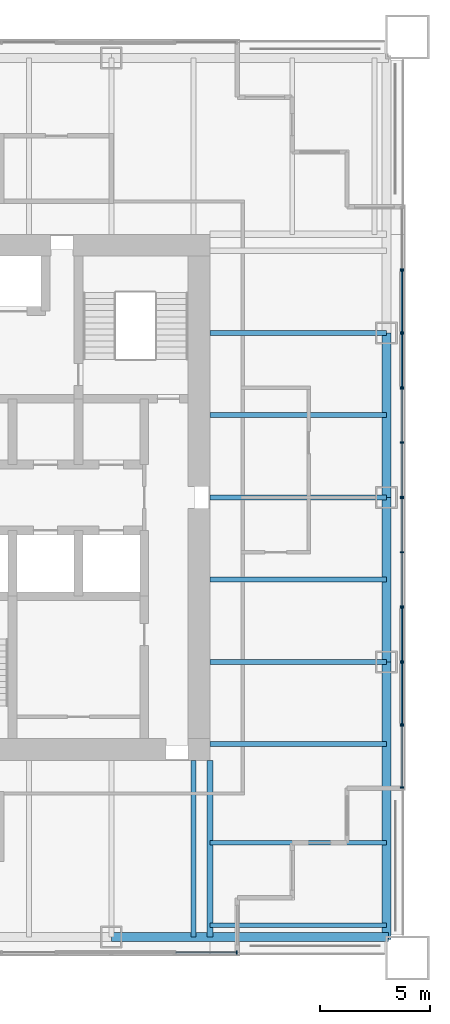
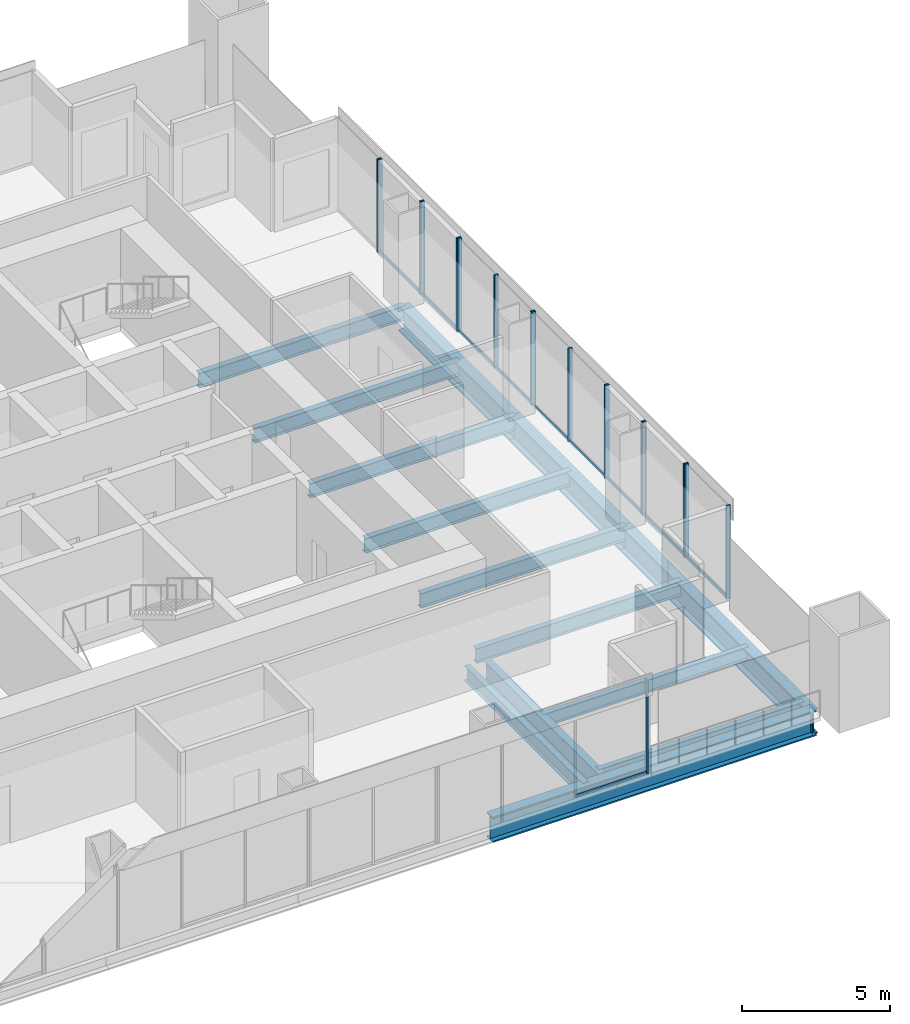
# One storey, part 5 of 14: 28 members, 14 beams, 9 elements without a shape of their own.
"""IFC4 building model written with IfcOpenShell, lengths in metres."""

from ifc_helpers import new_model, si_unit, direction, frame, origin, origin_2d, place, context, subcontext, project, spatial, rectangle, i_section, extrude, material, material_profile, profile_set, type_object, element, aggregate, save


model = new_model("IFC4")

# Units and contexts
model_context = context("Model", 3, precision=1e-05, world=origin(), true_north=direction((0.0, 1.0)))
body_context = subcontext(model_context, "Body", "Model", "MODEL_VIEW")
ifc_project = project(units=[si_unit("LENGTHUNIT", "METRE"), si_unit("AREAUNIT", "SQUARE_METRE"), si_unit("VOLUMEUNIT", "CUBIC_METRE"), si_unit("PLANEANGLEUNIT", "RADIAN"), si_unit("MASSUNIT", "GRAM", prefix="KILO")], contexts=[model_context])

# Site, building, storey
site_placement = place(None, origin())
site = spatial("IfcSite", under=ifc_project, at=site_placement, CompositionType="ELEMENT")
building_placement = place(site_placement, origin())
building = spatial("IfcBuilding", under=site, at=building_placement, Name="Tarangal Relay Tower", CompositionType="ELEMENT")
storey_placement = place(building_placement, frame((0.0, 0.0, 283.89990234375)))
storey = spatial("IfcBuildingStorey", under=building, at=storey_placement, Name="L62", CompositionType="ELEMENT", Elevation=283.89990234375)

# Beams
ifc_material_1 = material(Name="Steel ASTM A992", Category="steel")
ifc_material_profile_1 = material_profile(ifc_material_1, i_section(OverallWidth=0.209228515625, OverallDepth=0.533447265625, WebThickness=0.01025390625, FlangeThickness=0.015625, at=origin_2d()), Name="W21X62")
ifc_profile_set_1 = profile_set([ifc_material_profile_1], Name="Steel ASTM A992")
beam_type_1 = type_object("IfcBeamType", Name="Corner beam W21X62", PredefinedType="JOIST", material=ifc_profile_set_1)
for number, where, z_axis, x_axis, name in (
    (1, (12.0, -15.75, -0.41650390625), (1.0, 0.0, 0.0), (0.0, 1.0, 0.0), "Corner beam CB12 E L62"),
    (2, (12.0, -19.5, -0.41650390625), (1.0, 0.0, 0.0), (0.0, 1.0, 0.0), "Corner beam CB12 E L62"),
):
    element("IfcBeam", number, at=place(storey_placement, frame(where, z_axis=z_axis, x_axis=x_axis)), inside=storey, type_object=beam_type_1, Name=name, PredefinedType="JOIST", context=body_context, shape_type="SweptSolid", body=[
        extrude(i_section(OverallWidth=0.209228515625, OverallDepth=0.533447265625, WebThickness=0.01025390625, FlangeThickness=0.015625, at=origin_2d()), origin(), (0.0, 0.0, 1.0), 8.0400390625),
    ])
ifc_material_profile_2 = material_profile(ifc_material_1, i_section(OverallWidth=0.2919921875, OverallDepth=0.8408203125, WebThickness=0.0146484375, FlangeThickness=0.021728515625, at=origin_2d()), Name="W33X130")
ifc_profile_set_2 = profile_set([ifc_material_profile_2], Name="Steel ASTM A992")
beam_type_2 = type_object("IfcBeamType", Name="Corner girder W33X130", PredefinedType="BEAM", material=ifc_profile_set_2)
beam_placement = place(storey_placement, frame((12.0, -12.0, -0.5703125), z_axis=(0.0, -1.0, 0.0), x_axis=(1.0, 0.0, 0.0)))
element("IfcBeam", 3, at=beam_placement, inside=storey, type_object=beam_type_2, Name="Corner girder CG5 E L62", PredefinedType="BEAM", context=body_context, shape_type="SweptSolid", body=[
    extrude(i_section(OverallWidth=0.2919921875, OverallDepth=0.8408203125, WebThickness=0.0146484375, FlangeThickness=0.021728515625, at=origin_2d()), origin(), (0.0, 0.0, 1.0), 8.0400390625),
])
ifc_material_profile_3 = material_profile(ifc_material_1, i_section(OverallWidth=0.41162109375, OverallDepth=1.049072265625, WebThickness=0.033935546875, FlangeThickness=0.059814453125, at=origin_2d()), Name="W40X431")
ifc_profile_set_3 = profile_set([ifc_material_profile_3], Name="Steel ASTM A992")
beam_type_3 = type_object("IfcBeamType", Name="Edge girder W40X431", PredefinedType="SPANDREL", material=ifc_profile_set_3)
for number, where, z_axis, x_axis, name in (
    (4, (20.0400390625, 7.5, -0.67431640625), (0.0, -1.0, 0.0), (1.0, 0.0, 0.0), "Edge girder EG1 E L62"),
    (5, (20.0400390625, 0.0, -0.67431640625), (0.0, -1.0, 0.0), (1.0, 0.0, 0.0), "Edge girder EG1 E L62"),
):
    element("IfcBeam", number, at=place(storey_placement, frame(where, z_axis=z_axis, x_axis=x_axis)), inside=storey, type_object=beam_type_3, Name=name, PredefinedType="SPANDREL", context=body_context, shape_type="SweptSolid", body=[
        extrude(i_section(OverallWidth=0.41162109375, OverallDepth=1.049072265625, WebThickness=0.033935546875, FlangeThickness=0.059814453125, at=origin_2d()), origin(), (0.0, 0.0, 1.0), 7.5),
    ])
for number, where, z_axis, x_axis, name in (
    (6, (20.0400390625, -7.5, -0.67431640625), (0.0, -1.0, 0.0), (1.0, 0.0, 0.0), "Edge girder EG1 E L62"),
    (7, (20.14990234375, -20.0400390625, -0.67431640625), (-1.0, 0.0, 0.0), (0.0, -1.0, 0.0), "Edge girder EG1 S L62"),
):
    element("IfcBeam", number, at=place(storey_placement, frame(where, z_axis=z_axis, x_axis=x_axis)), inside=storey, type_object=beam_type_3, Name=name, PredefinedType="SPANDREL", context=body_context, shape_type="SweptSolid", body=[
        extrude(i_section(OverallWidth=0.41162109375, OverallDepth=1.049072265625, WebThickness=0.033935546875, FlangeThickness=0.059814453125, at=origin_2d()), origin(), (0.0, 0.0, 1.0), 12.64990234375),
    ])
ifc_material_profile_4 = material_profile(ifc_material_1, i_section(OverallWidth=0.228271484375, OverallDepth=0.607177734375, WebThickness=0.01123046875, FlangeThickness=0.017333984375, at=origin_2d()), Name="W24X76")
ifc_profile_set_4 = profile_set([ifc_material_profile_4], Name="Steel ASTM A992")
beam_type_4 = type_object("IfcBeamType", Name="Floor beam W24X76", PredefinedType="BEAM", material=ifc_profile_set_4)
for number, where, z_axis, x_axis, name in (
    (8, (12.0, 7.5, -0.453369140625), (1.0, 0.0, 0.0), (0.0, 1.0, 0.0), "Floor beam RB5 E L62"),
    (9, (12.0, 3.75, -0.453369140625), (1.0, 0.0, 0.0), (0.0, 1.0, 0.0), "Floor beam RB5 E L62"),
    (10, (12.0, 0.0, -0.453369140625), (1.0, 0.0, 0.0), (0.0, 1.0, 0.0), "Floor beam RB5 E L62"),
    (11, (12.0, -3.75, -0.453369140625), (1.0, 0.0, 0.0), (0.0, 1.0, 0.0), "Floor beam RB5 E L62"),
    (12, (12.0, -7.5, -0.453369140625), (1.0, 0.0, 0.0), (0.0, 1.0, 0.0), "Floor beam RB5 E L62"),
    (13, (12.0, -11.25, -0.453369140625), (1.0, 0.0, 0.0), (0.0, 1.0, 0.0), "Floor beam RB5 E L62"),
    (14, (11.25, -12.0, -0.453369140625), (0.0, -1.0, 0.0), (1.0, 0.0, 0.0), "Floor beam RB5 S L62"),
):
    element("IfcBeam", number, at=place(storey_placement, frame(where, z_axis=z_axis, x_axis=x_axis)), inside=storey, type_object=beam_type_4, Name=name, PredefinedType="BEAM", context=body_context, shape_type="SweptSolid", body=[
        extrude(i_section(OverallWidth=0.228271484375, OverallDepth=0.607177734375, WebThickness=0.01123046875, FlangeThickness=0.017333984375, at=origin_2d()), origin(), (0.0, 0.0, 1.0), 8.0400390625),
    ])

# Curtain wall, member
ifc_material_2 = material(Name="Unitised curtain wall, dark glass and black aluminium", Category="aluminium")
curtain_wall_type_1 = type_object("IfcCurtainWallType", Name="Curtain wall CW-B", PredefinedType="USERDEFINED", material=ifc_material_2)
curtain_wall_1_placement = place(storey_placement, origin())
curtain_wall_1 = element("IfcCurtainWall", 15, at=curtain_wall_1_placement, inside=storey, type_object=curtain_wall_type_1, Name="Curtain wall CW-B E facade L62", ObjectType="UNITISED CURTAIN WALL", PredefinedType="USERDEFINED")
ifc_material_3 = material(Name="Black anodised aluminium mullion", Category="aluminium")
ifc_material_profile_5 = material_profile(ifc_material_3, rectangle(XDim=0.159912109375, YDim=0.06005859375, at=origin_2d()), Name="CW-BM 60X160")
ifc_profile_set_5 = profile_set([ifc_material_profile_5], Name="Black anodised aluminium mullion")
member_type_1 = type_object("IfcMemberType", Name="Mullion CW-B 60 x 160", PredefinedType="MULLION", material=ifc_profile_set_5)
member_1_placement = place(storey_placement, frame((20.75, 10.405029296875, 0.0), z_axis=(0.0, 0.0, 1.0), x_axis=(1.0, 0.0, 0.0)))
member_1 = element("IfcMember", 16, at=member_1_placement, type_object=member_type_1, Name="CW-B mullion 2", PredefinedType="MULLION", context=body_context, shape_type="SweptSolid", body=[
    extrude(rectangle(XDim=0.159912109375, YDim=0.06005859375, at=origin_2d()), origin(), (0.0, 0.0, 1.0), 3.85009765625),
])
aggregate(curtain_wall_1, [member_1])

# Curtain wall, members
curtain_wall_2_placement = place(storey_placement, origin())
curtain_wall_2 = element("IfcCurtainWall", 17, at=curtain_wall_2_placement, inside=storey, type_object=curtain_wall_type_1, Name="Curtain wall CW-B E facade L62", ObjectType="UNITISED CURTAIN WALL", PredefinedType="USERDEFINED")
member_2_placement = place(storey_placement, frame((20.75, 4.969970703125, 0.0), z_axis=(0.0, 0.0, 1.0), x_axis=(1.0, 0.0, 0.0)))
member_2 = element("IfcMember", 18, at=member_2_placement, type_object=member_type_1, Name="CW-B mullion 1", PredefinedType="MULLION", context=body_context, shape_type="SweptSolid", body=[
    extrude(rectangle(XDim=0.159912109375, YDim=0.06005859375, at=origin_2d()), origin(), (0.0, 0.0, 1.0), 3.85009765625),
])
member_3_placement = place(storey_placement, frame((20.75, 2.5, 0.0), z_axis=(0.0, 0.0, 1.0), x_axis=(1.0, 0.0, 0.0)))
member_3 = element("IfcMember", 19, at=member_3_placement, type_object=member_type_1, Name="CW-B mullion 2", PredefinedType="MULLION", context=body_context, shape_type="SweptSolid", body=[
    extrude(rectangle(XDim=0.159912109375, YDim=0.06005859375, at=origin_2d()), origin(), (0.0, 0.0, 1.0), 3.85009765625),
])
member_4_placement = place(storey_placement, frame((20.75, 0.030029296875, 0.0), z_axis=(0.0, 0.0, 1.0), x_axis=(1.0, 0.0, 0.0)))
member_4 = element("IfcMember", 20, at=member_4_placement, type_object=member_type_1, Name="CW-B mullion 3", PredefinedType="MULLION", context=body_context, shape_type="SweptSolid", body=[
    extrude(rectangle(XDim=0.159912109375, YDim=0.06005859375, at=origin_2d()), origin(), (0.0, 0.0, 1.0), 3.85009765625),
])

curtain_wall_3_placement = place(storey_placement, origin())
curtain_wall_3 = element("IfcCurtainWall", 21, at=curtain_wall_3_placement, inside=storey, type_object=curtain_wall_type_1, Name="Curtain wall CW-B E facade L62", ObjectType="UNITISED CURTAIN WALL", PredefinedType="USERDEFINED")
member_5_placement = place(storey_placement, frame((20.75, -0.030029296875, 0.0), z_axis=(0.0, 0.0, 1.0), x_axis=(1.0, 0.0, 0.0)))
member_5 = element("IfcMember", 22, at=member_5_placement, type_object=member_type_1, Name="CW-B mullion 1", PredefinedType="MULLION", context=body_context, shape_type="SweptSolid", body=[
    extrude(rectangle(XDim=0.159912109375, YDim=0.06005859375, at=origin_2d()), origin(), (0.0, 0.0, 1.0), 3.85009765625),
])
member_6_placement = place(storey_placement, frame((20.75, -2.5, 0.0), z_axis=(0.0, 0.0, 1.0), x_axis=(1.0, 0.0, 0.0)))
member_6 = element("IfcMember", 23, at=member_6_placement, type_object=member_type_1, Name="CW-B mullion 2", PredefinedType="MULLION", context=body_context, shape_type="SweptSolid", body=[
    extrude(rectangle(XDim=0.159912109375, YDim=0.06005859375, at=origin_2d()), origin(), (0.0, 0.0, 1.0), 3.85009765625),
])
member_7_placement = place(storey_placement, frame((20.75, -4.969970703125, 0.0), z_axis=(0.0, 0.0, 1.0), x_axis=(1.0, 0.0, 0.0)))
member_7 = element("IfcMember", 24, at=member_7_placement, type_object=member_type_1, Name="CW-B mullion 3", PredefinedType="MULLION", context=body_context, shape_type="SweptSolid", body=[
    extrude(rectangle(XDim=0.159912109375, YDim=0.06005859375, at=origin_2d()), origin(), (0.0, 0.0, 1.0), 3.85009765625),
])

curtain_wall_4_placement = place(storey_placement, origin())
curtain_wall_4 = element("IfcCurtainWall", 25, at=curtain_wall_4_placement, inside=storey, type_object=curtain_wall_type_1, Name="Curtain wall CW-B E facade L62", ObjectType="UNITISED CURTAIN WALL", PredefinedType="USERDEFINED")
member_8_placement = place(storey_placement, frame((20.75, -10.405029296875, 0.0), z_axis=(0.0, 0.0, 1.0), x_axis=(1.0, 0.0, 0.0)))
member_8 = element("IfcMember", 26, at=member_8_placement, type_object=member_type_1, Name="CW-B mullion 1", PredefinedType="MULLION", context=body_context, shape_type="SweptSolid", body=[
    extrude(rectangle(XDim=0.159912109375, YDim=0.06005859375, at=origin_2d()), origin(), (0.0, 0.0, 1.0), 3.85009765625),
])
member_9_placement = place(storey_placement, frame((20.75, -13.219970703125, 0.0), z_axis=(0.0, 0.0, 1.0), x_axis=(1.0, 0.0, 0.0)))
member_9 = element("IfcMember", 27, at=member_9_placement, type_object=member_type_1, Name="CW-B mullion 2", PredefinedType="MULLION", context=body_context, shape_type="SweptSolid", body=[
    extrude(rectangle(XDim=0.159912109375, YDim=0.06005859375, at=origin_2d()), origin(), (0.0, 0.0, 1.0), 3.85009765625),
])

# Curtain wall, member
curtain_wall_5_placement = place(storey_placement, origin())
curtain_wall_5 = element("IfcCurtainWall", 28, at=curtain_wall_5_placement, inside=storey, type_object=curtain_wall_type_1, Name="Curtain wall CW-B S facade L62", ObjectType="UNITISED CURTAIN WALL", PredefinedType="USERDEFINED")
member_10_placement = place(storey_placement, frame((13.219970703125, -20.75, 0.0), z_axis=(0.0, 0.0, 1.0), x_axis=(0.0, -1.0, 0.0)))
member_10 = element("IfcMember", 29, at=member_10_placement, type_object=member_type_1, Name="CW-B mullion 1", PredefinedType="MULLION", context=body_context, shape_type="SweptSolid", body=[
    extrude(rectangle(XDim=0.159912109375, YDim=0.06005859375, at=origin_2d()), origin(), (0.0, 0.0, 1.0), 3.85009765625),
])

# Curtain wall, members
ifc_material_4 = material(Name="Unitised curtain wall frame, black aluminium, with metal clad infill walls", Category="aluminium")
curtain_wall_type_2 = type_object("IfcCurtainWallType", Name="Curtain wall CW-BO", PredefinedType="USERDEFINED", material=ifc_material_4)
curtain_wall_6_placement = place(storey_placement, origin())
curtain_wall_6 = element("IfcCurtainWall", 30, at=curtain_wall_6_placement, inside=storey, type_object=curtain_wall_type_2, Name="Curtain wall CW-BO E facade L62", ObjectType="UNITISED CURTAIN WALL", PredefinedType="USERDEFINED")
ifc_material_profile_6 = material_profile(ifc_material_3, rectangle(XDim=0.159912109375, YDim=0.06005859375, at=origin_2d()), Name="CW-BOM 60X160")
ifc_profile_set_6 = profile_set([ifc_material_profile_6], Name="Black anodised aluminium mullion")
member_type_2 = type_object("IfcMemberType", Name="Mullion CW-BO 60 x 160", PredefinedType="MULLION", material=ifc_profile_set_6)
member_11_placement = place(storey_placement, frame((20.75, 10.344970703125, 0.0), z_axis=(0.0, 0.0, 1.0), x_axis=(1.0, 0.0, 0.0)))
member_11 = element("IfcMember", 31, at=member_11_placement, type_object=member_type_2, Name="CW-BO mullion 1", PredefinedType="MULLION", context=body_context, shape_type="SweptSolid", body=[
    extrude(rectangle(XDim=0.159912109375, YDim=0.06005859375, at=origin_2d()), origin(), (0.0, 0.0, 1.0), 3.85009765625),
])
member_12_placement = place(storey_placement, frame((20.75, 7.530029296875, 0.0), z_axis=(0.0, 0.0, 1.0), x_axis=(1.0, 0.0, 0.0)))
member_12 = element("IfcMember", 32, at=member_12_placement, type_object=member_type_2, Name="CW-BO mullion 2", PredefinedType="MULLION", context=body_context, shape_type="SweptSolid", body=[
    extrude(rectangle(XDim=0.159912109375, YDim=0.06005859375, at=origin_2d()), origin(), (0.0, 0.0, 1.0), 3.85009765625),
])

curtain_wall_7_placement = place(storey_placement, origin())
curtain_wall_7 = element("IfcCurtainWall", 33, at=curtain_wall_7_placement, inside=storey, type_object=curtain_wall_type_2, Name="Curtain wall CW-BO E facade L62", ObjectType="UNITISED CURTAIN WALL", PredefinedType="USERDEFINED")
member_13_placement = place(storey_placement, frame((20.75, 7.469970703125, 0.0), z_axis=(0.0, 0.0, 1.0), x_axis=(1.0, 0.0, 0.0)))
member_13 = element("IfcMember", 34, at=member_13_placement, type_object=member_type_2, Name="CW-BO mullion 1", PredefinedType="MULLION", context=body_context, shape_type="SweptSolid", body=[
    extrude(rectangle(XDim=0.159912109375, YDim=0.06005859375, at=origin_2d()), origin(), (0.0, 0.0, 1.0), 3.85009765625),
])
member_14_placement = place(storey_placement, frame((20.75, 5.030029296875, 0.0), z_axis=(0.0, 0.0, 1.0), x_axis=(1.0, 0.0, 0.0)))
member_14 = element("IfcMember", 35, at=member_14_placement, type_object=member_type_2, Name="CW-BO mullion 2", PredefinedType="MULLION", context=body_context, shape_type="SweptSolid", body=[
    extrude(rectangle(XDim=0.159912109375, YDim=0.06005859375, at=origin_2d()), origin(), (0.0, 0.0, 1.0), 3.85009765625),
])

curtain_wall_8_placement = place(storey_placement, origin())
curtain_wall_8 = element("IfcCurtainWall", 36, at=curtain_wall_8_placement, inside=storey, type_object=curtain_wall_type_2, Name="Curtain wall CW-BO E facade L62", ObjectType="UNITISED CURTAIN WALL", PredefinedType="USERDEFINED")
member_15_placement = place(storey_placement, frame((20.75, -5.030029296875, 0.0), z_axis=(0.0, 0.0, 1.0), x_axis=(1.0, 0.0, 0.0)))
member_15 = element("IfcMember", 37, at=member_15_placement, type_object=member_type_2, Name="CW-BO mullion 1", PredefinedType="MULLION", context=body_context, shape_type="SweptSolid", body=[
    extrude(rectangle(XDim=0.159912109375, YDim=0.06005859375, at=origin_2d()), origin(), (0.0, 0.0, 1.0), 3.85009765625),
])
member_16_placement = place(storey_placement, frame((20.75, -7.469970703125, 0.0), z_axis=(0.0, 0.0, 1.0), x_axis=(1.0, 0.0, 0.0)))
member_16 = element("IfcMember", 38, at=member_16_placement, type_object=member_type_2, Name="CW-BO mullion 2", PredefinedType="MULLION", context=body_context, shape_type="SweptSolid", body=[
    extrude(rectangle(XDim=0.159912109375, YDim=0.06005859375, at=origin_2d()), origin(), (0.0, 0.0, 1.0), 3.85009765625),
])

curtain_wall_9_placement = place(storey_placement, origin())
curtain_wall_9 = element("IfcCurtainWall", 39, at=curtain_wall_9_placement, inside=storey, type_object=curtain_wall_type_2, Name="Curtain wall CW-BO E facade L62", ObjectType="UNITISED CURTAIN WALL", PredefinedType="USERDEFINED")
member_17_placement = place(storey_placement, frame((20.75, -7.530029296875, 0.0), z_axis=(0.0, 0.0, 1.0), x_axis=(1.0, 0.0, 0.0)))
member_17 = element("IfcMember", 40, at=member_17_placement, type_object=member_type_2, Name="CW-BO mullion 1", PredefinedType="MULLION", context=body_context, shape_type="SweptSolid", body=[
    extrude(rectangle(XDim=0.159912109375, YDim=0.06005859375, at=origin_2d()), origin(), (0.0, 0.0, 1.0), 3.85009765625),
])
member_18_placement = place(storey_placement, frame((20.75, -10.344970703125, 0.0), z_axis=(0.0, 0.0, 1.0), x_axis=(1.0, 0.0, 0.0)))
member_18 = element("IfcMember", 41, at=member_18_placement, type_object=member_type_2, Name="CW-BO mullion 2", PredefinedType="MULLION", context=body_context, shape_type="SweptSolid", body=[
    extrude(rectangle(XDim=0.159912109375, YDim=0.06005859375, at=origin_2d()), origin(), (0.0, 0.0, 1.0), 3.85009765625),
])

# Member
ifc_material_5 = material(Name="Black anodised aluminium transom", Category="aluminium")
ifc_material_profile_7 = material_profile(ifc_material_5, rectangle(XDim=0.06005859375, YDim=0.1298828125, at=origin_2d()), Name="CW-BT 60X130")
ifc_profile_set_7 = profile_set([ifc_material_profile_7], Name="Black anodised aluminium transom")
member_type_3 = type_object("IfcMemberType", Name="Transom CW-B 60 x 130", PredefinedType="USERDEFINED", material=ifc_profile_set_7)
member_19_placement = place(storey_placement, frame((20.75, 4.93994140625, 0.030029296875), z_axis=(0.0, -1.0, 0.0), x_axis=(1.0, 0.0, 0.0)))
member_19 = element("IfcMember", 42, at=member_19_placement, type_object=member_type_3, Name="CW-B transom 1.1", ObjectType="TRANSOM", PredefinedType="USERDEFINED", context=body_context, shape_type="SweptSolid", body=[
    extrude(rectangle(XDim=0.06005859375, YDim=0.1298828125, at=origin_2d()), origin(), (0.0, 0.0, 1.0), 2.409912109375),
])

member_20_placement = place(storey_placement, frame((20.75, 2.469970703125, 0.030029296875), z_axis=(0.0, -1.0, 0.0), x_axis=(1.0, 0.0, 0.0)))
member_20 = element("IfcMember", 43, at=member_20_placement, type_object=member_type_3, Name="CW-B transom 2.1", ObjectType="TRANSOM", PredefinedType="USERDEFINED", context=body_context, shape_type="SweptSolid", body=[
    extrude(rectangle(XDim=0.06005859375, YDim=0.1298828125, at=origin_2d()), origin(), (0.0, 0.0, 1.0), 2.409912109375),
])

aggregate(curtain_wall_2, [member_2, member_3, member_4, member_19, member_20])

member_21_placement = place(storey_placement, frame((20.75, -0.06005859375, 0.030029296875), z_axis=(0.0, -1.0, 0.0), x_axis=(1.0, 0.0, 0.0)))
member_21 = element("IfcMember", 44, at=member_21_placement, type_object=member_type_3, Name="CW-B transom 1.1", ObjectType="TRANSOM", PredefinedType="USERDEFINED", context=body_context, shape_type="SweptSolid", body=[
    extrude(rectangle(XDim=0.06005859375, YDim=0.1298828125, at=origin_2d()), origin(), (0.0, 0.0, 1.0), 2.409912109375),
])

member_22_placement = place(storey_placement, frame((20.75, -2.530029296875, 0.030029296875), z_axis=(0.0, -1.0, 0.0), x_axis=(1.0, 0.0, 0.0)))
member_22 = element("IfcMember", 45, at=member_22_placement, type_object=member_type_3, Name="CW-B transom 2.1", ObjectType="TRANSOM", PredefinedType="USERDEFINED", context=body_context, shape_type="SweptSolid", body=[
    extrude(rectangle(XDim=0.06005859375, YDim=0.1298828125, at=origin_2d()), origin(), (0.0, 0.0, 1.0), 2.409912109375),
])

aggregate(curtain_wall_3, [member_5, member_6, member_7, member_21, member_22])

member_23_placement = place(storey_placement, frame((20.75, -10.43505859375, 0.030029296875), z_axis=(0.0, -1.0, 0.0), x_axis=(1.0, 0.0, 0.0)))
member_23 = element("IfcMember", 46, at=member_23_placement, type_object=member_type_3, Name="CW-B transom 1.1", ObjectType="TRANSOM", PredefinedType="USERDEFINED", context=body_context, shape_type="SweptSolid", body=[
    extrude(rectangle(XDim=0.06005859375, YDim=0.1298828125, at=origin_2d()), origin(), (0.0, 0.0, 1.0), 2.7548828125),
])

aggregate(curtain_wall_4, [member_8, member_9, member_23])

member_24_placement = place(storey_placement, frame((13.18994140625, -20.75, 0.030029296875), z_axis=(-1.0, 0.0, 0.0), x_axis=(0.0, -1.0, 0.0)))
member_24 = element("IfcMember", 47, at=member_24_placement, type_object=member_type_3, Name="CW-B transom 1.1", ObjectType="TRANSOM", PredefinedType="USERDEFINED", context=body_context, shape_type="SweptSolid", body=[
    extrude(rectangle(XDim=0.06005859375, YDim=0.1298828125, at=origin_2d()), origin(), (0.0, 0.0, 1.0), 2.7548828125),
])

aggregate(curtain_wall_5, [member_10, member_24])

ifc_material_profile_8 = material_profile(ifc_material_5, rectangle(XDim=0.06005859375, YDim=0.1298828125, at=origin_2d()), Name="CW-BOT 60X130")
ifc_profile_set_8 = profile_set([ifc_material_profile_8], Name="Black anodised aluminium transom")
member_type_4 = type_object("IfcMemberType", Name="Transom CW-BO 60 x 130", PredefinedType="USERDEFINED", material=ifc_profile_set_8)
member_25_placement = place(storey_placement, frame((20.75, 10.31494140625, 0.030029296875), z_axis=(0.0, -1.0, 0.0), x_axis=(1.0, 0.0, 0.0)))
member_25 = element("IfcMember", 48, at=member_25_placement, type_object=member_type_4, Name="CW-BO transom 1.1", ObjectType="TRANSOM", PredefinedType="USERDEFINED", context=body_context, shape_type="SweptSolid", body=[
    extrude(rectangle(XDim=0.06005859375, YDim=0.1298828125, at=origin_2d()), origin(), (0.0, 0.0, 1.0), 2.7548828125),
])

aggregate(curtain_wall_6, [member_11, member_12, member_25])

member_26_placement = place(storey_placement, frame((20.75, 7.43994140625, 0.030029296875), z_axis=(0.0, -1.0, 0.0), x_axis=(1.0, 0.0, 0.0)))
member_26 = element("IfcMember", 49, at=member_26_placement, type_object=member_type_4, Name="CW-BO transom 1.1", ObjectType="TRANSOM", PredefinedType="USERDEFINED", context=body_context, shape_type="SweptSolid", body=[
    extrude(rectangle(XDim=0.06005859375, YDim=0.1298828125, at=origin_2d()), origin(), (0.0, 0.0, 1.0), 2.3798828125),
])

aggregate(curtain_wall_7, [member_13, member_14, member_26])

member_27_placement = place(storey_placement, frame((20.75, -5.06005859375, 0.030029296875), z_axis=(0.0, -1.0, 0.0), x_axis=(1.0, 0.0, 0.0)))
member_27 = element("IfcMember", 50, at=member_27_placement, type_object=member_type_4, Name="CW-BO transom 1.1", ObjectType="TRANSOM", PredefinedType="USERDEFINED", context=body_context, shape_type="SweptSolid", body=[
    extrude(rectangle(XDim=0.06005859375, YDim=0.1298828125, at=origin_2d()), origin(), (0.0, 0.0, 1.0), 2.3798828125),
])

aggregate(curtain_wall_8, [member_15, member_16, member_27])

member_28_placement = place(storey_placement, frame((20.75, -7.56005859375, 0.030029296875), z_axis=(0.0, -1.0, 0.0), x_axis=(1.0, 0.0, 0.0)))
member_28 = element("IfcMember", 51, at=member_28_placement, type_object=member_type_4, Name="CW-BO transom 1.1", ObjectType="TRANSOM", PredefinedType="USERDEFINED", context=body_context, shape_type="SweptSolid", body=[
    extrude(rectangle(XDim=0.06005859375, YDim=0.1298828125, at=origin_2d()), origin(), (0.0, 0.0, 1.0), 2.7548828125),
])

aggregate(curtain_wall_9, [member_17, member_18, member_28])

save(model, "model.ifc")
